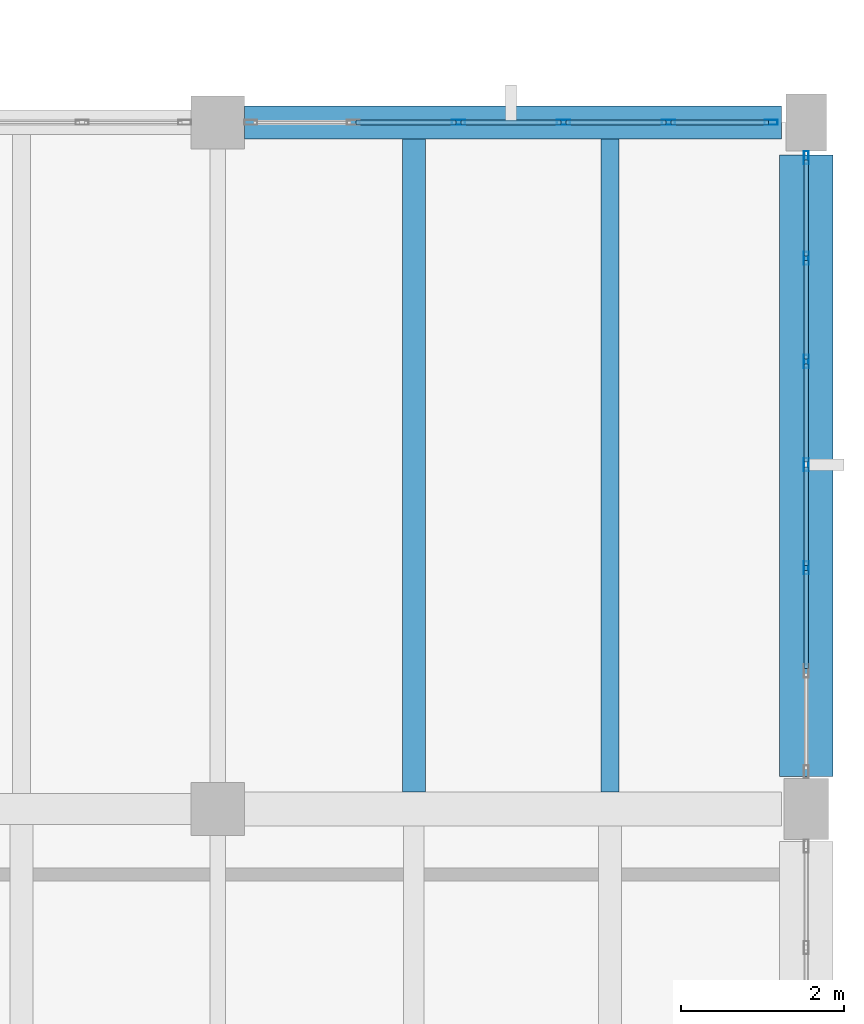
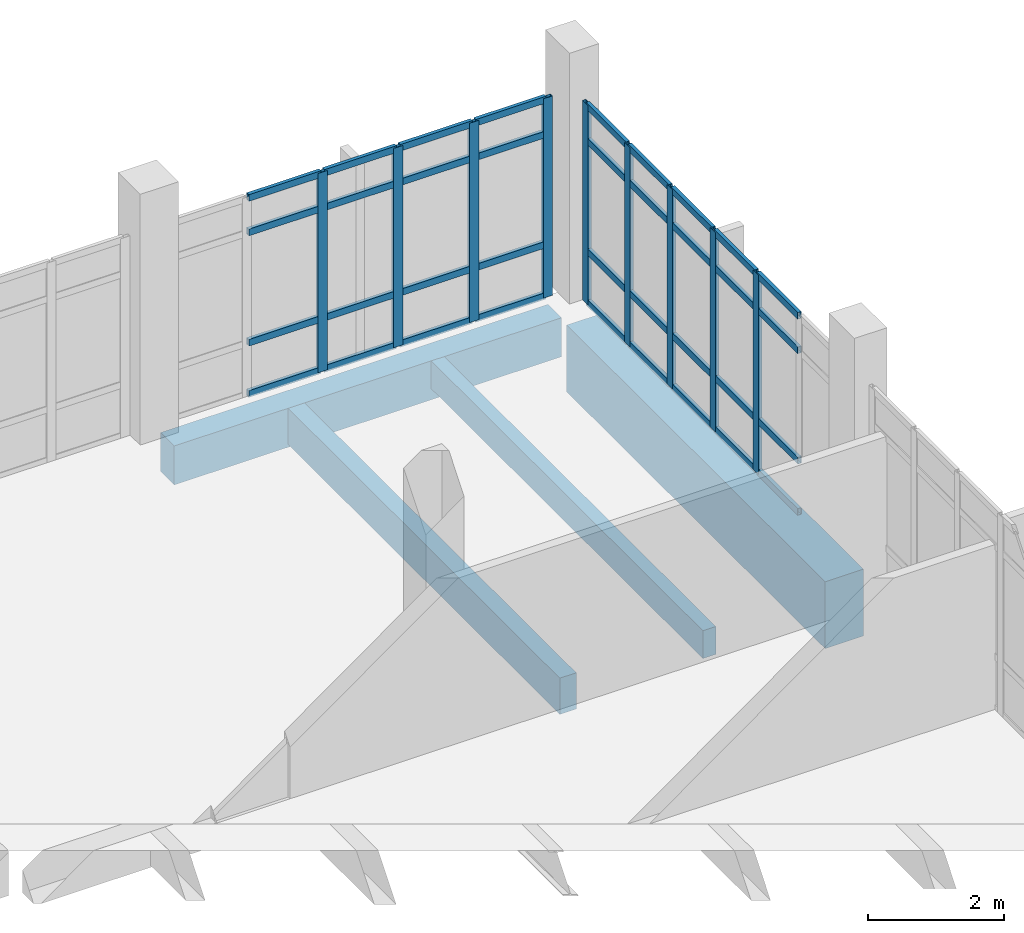
# One storey, part 78 of 116: 45 members, 4 beams, 2 elements without a shape of their own.
"""IFC4 building model written with IfcOpenShell, lengths in metres."""

from ifc_helpers import new_model, si_unit, direction, frame, origin, origin_2d, place, context, subcontext, project, spatial, rectangle, hollow_rectangle, extrude, material, material_profile, profile_set, type_object, element, aggregate, save


model = new_model("IFC4")

# Units and contexts
model_context = context("Model", 3, precision=1e-05, world=origin(), true_north=direction((0.0, 1.0)))
body_context = subcontext(model_context, "Body", "Model", "MODEL_VIEW")
ifc_project = project(units=[si_unit("LENGTHUNIT", "METRE"), si_unit("AREAUNIT", "SQUARE_METRE"), si_unit("VOLUMEUNIT", "CUBIC_METRE"), si_unit("PLANEANGLEUNIT", "RADIAN"), si_unit("MASSUNIT", "GRAM", prefix="KILO")], contexts=[model_context])

# Site, building, storey
site_placement = place(None, origin())
site = spatial("IfcSite", under=ifc_project, at=site_placement, CompositionType="ELEMENT")
building_placement = place(site_placement, origin())
building = spatial("IfcBuilding", under=site, at=building_placement, Name="Kalluvel Institute of Natural Sciences", CompositionType="ELEMENT")
storey_placement = place(building_placement, frame((0.0, 0.0, 14.39990234375)))
storey = spatial("IfcBuildingStorey", under=building, at=storey_placement, Name="L03", CompositionType="ELEMENT", Elevation=14.39990234375)

# Beam
ifc_material_1 = material(Name="Concrete M50", Category="concrete")
ifc_material_profile_1 = material_profile(ifc_material_1, rectangle(XDim=0.64990234375, YDim=1.199951171875, at=origin_2d()), Name="RCB 650x1200")
ifc_profile_set_1 = profile_set([ifc_material_profile_1], Name="Concrete M50")
beam_type_1 = type_object("IfcBeamType", Name="BM-RC650x1200", PredefinedType="BEAM", material=ifc_profile_set_1)
beam_1_placement = place(storey_placement, frame((114.800048828125, 120.0, -0.919921875), z_axis=(0.0, 1.0, 0.0), x_axis=(-1.0, 0.0, 0.0)))
element("IfcBeam", 1, at=beam_1_placement, inside=storey, type_object=beam_type_1, Name="L03 girder GIR-L03-NS-X1148-Y1196", PredefinedType="BEAM", context=body_context, shape_type="SweptSolid", body=[
    extrude(rectangle(XDim=0.64990234375, YDim=1.199951171875, at=origin_2d()), origin(), (0.0, 0.0, 1.0), 7.60009765625),
])

# Curtain wall, members
ifc_material_2 = material(Name="Aluminium AW-6063 T6", Category="aluminium")
curtain_wall_type = type_object("IfcCurtainWallType", Name="CW-WET-45", PredefinedType="USERDEFINED", material=ifc_material_2)
curtain_wall_1_placement = place(storey_placement, origin())
curtain_wall_1 = element("IfcCurtainWall", 2, at=curtain_wall_1_placement, inside=storey, type_object=curtain_wall_type, Name="L03 Gothic lancet curtain wall CWA-L03-X1080-Y1280", ObjectType="UNITISED LANCET FACADE", PredefinedType="USERDEFINED")
ifc_material_profile_2 = material_profile(ifc_material_2, hollow_rectangle(XDim=0.06005859375, YDim=0.159912109375, WallThickness=0.00390625, at=origin_2d()), Name="CWM 60x160")
ifc_profile_set_2 = profile_set([ifc_material_profile_2], Name="Aluminium AW-6063 T6")
member_type_1 = type_object("IfcMemberType", Name="CWM-60x160", PredefinedType="MULLION", material=ifc_profile_set_2)
member_1_placement = place(storey_placement, frame((110.544921875, 128.0, 0.0), z_axis=(0.0, 0.0, 1.0), x_axis=(0.0, 1.0, 0.0)))
member_1 = element("IfcMember", 3, at=member_1_placement, type_object=member_type_1, Name="CW-01 mullion 3", PredefinedType="MULLION", context=body_context, shape_type="SweptSolid", body=[
    extrude(hollow_rectangle(XDim=0.06005859375, YDim=0.159912109375, WallThickness=0.00390625, at=origin_2d()), origin(), (0.0, 0.0, 1.0), 3.580078125),
])
member_2_placement = place(storey_placement, frame((111.830078125, 128.0, 0.0), z_axis=(0.0, 0.0, 1.0), x_axis=(0.0, 1.0, 0.0)))
member_2 = element("IfcMember", 4, at=member_2_placement, type_object=member_type_1, Name="CW-01 mullion 4", PredefinedType="MULLION", context=body_context, shape_type="SweptSolid", body=[
    extrude(hollow_rectangle(XDim=0.06005859375, YDim=0.159912109375, WallThickness=0.00390625, at=origin_2d()), origin(), (0.0, 0.0, 1.0), 3.580078125),
])
member_3_placement = place(storey_placement, frame((113.114990234375, 128.0, 0.0), z_axis=(0.0, 0.0, 1.0), x_axis=(0.0, 1.0, 0.0)))
member_3 = element("IfcMember", 5, at=member_3_placement, type_object=member_type_1, Name="CW-01 mullion 5", PredefinedType="MULLION", context=body_context, shape_type="SweptSolid", body=[
    extrude(hollow_rectangle(XDim=0.06005859375, YDim=0.159912109375, WallThickness=0.00390625, at=origin_2d()), origin(), (0.0, 0.0, 1.0), 3.580078125),
])
member_4_placement = place(storey_placement, frame((114.3701171875, 128.0, 0.0), z_axis=(0.0, 0.0, 1.0), x_axis=(0.0, 1.0, 0.0)))
member_4 = element("IfcMember", 6, at=member_4_placement, type_object=member_type_1, Name="CW-01 mullion 6", PredefinedType="MULLION", context=body_context, shape_type="SweptSolid", body=[
    extrude(hollow_rectangle(XDim=0.06005859375, YDim=0.159912109375, WallThickness=0.00390625, at=origin_2d()), origin(), (0.0, 0.0, 1.0), 3.580078125),
])

curtain_wall_2_placement = place(storey_placement, origin())
curtain_wall_2 = element("IfcCurtainWall", 7, at=curtain_wall_2_placement, inside=storey, type_object=curtain_wall_type, Name="L03 Gothic lancet curtain wall CWA-L03-X1148-Y1200", ObjectType="UNITISED LANCET FACADE", PredefinedType="USERDEFINED")
member_5_placement = place(storey_placement, frame((114.800048828125, 122.550048828125, 0.0), z_axis=(0.0, 0.0, 1.0), x_axis=(-1.0, 0.0, 0.0)))
member_5 = element("IfcMember", 8, at=member_5_placement, type_object=member_type_1, Name="CW-01 mullion 3", PredefinedType="MULLION", context=body_context, shape_type="SweptSolid", body=[
    extrude(hollow_rectangle(XDim=0.06005859375, YDim=0.159912109375, WallThickness=0.00390625, at=origin_2d()), origin(), (0.0, 0.0, 1.0), 3.580078125),
])
member_6_placement = place(storey_placement, frame((114.800048828125, 123.8125, 0.0), z_axis=(0.0, 0.0, 1.0), x_axis=(-1.0, 0.0, 0.0)))
member_6 = element("IfcMember", 9, at=member_6_placement, type_object=member_type_1, Name="CW-01 mullion 4", PredefinedType="MULLION", context=body_context, shape_type="SweptSolid", body=[
    extrude(hollow_rectangle(XDim=0.06005859375, YDim=0.159912109375, WallThickness=0.00390625, at=origin_2d()), origin(), (0.0, 0.0, 1.0), 3.580078125),
])
member_7_placement = place(storey_placement, frame((114.800048828125, 125.074951171875, 0.0), z_axis=(0.0, 0.0, 1.0), x_axis=(-1.0, 0.0, 0.0)))
member_7 = element("IfcMember", 10, at=member_7_placement, type_object=member_type_1, Name="CW-01 mullion 5", PredefinedType="MULLION", context=body_context, shape_type="SweptSolid", body=[
    extrude(hollow_rectangle(XDim=0.06005859375, YDim=0.159912109375, WallThickness=0.00390625, at=origin_2d()), origin(), (0.0, 0.0, 1.0), 3.580078125),
])
member_8_placement = place(storey_placement, frame((114.800048828125, 126.33740234375, 0.0), z_axis=(0.0, 0.0, 1.0), x_axis=(-1.0, 0.0, 0.0)))
member_8 = element("IfcMember", 11, at=member_8_placement, type_object=member_type_1, Name="CW-01 mullion 6", PredefinedType="MULLION", context=body_context, shape_type="SweptSolid", body=[
    extrude(hollow_rectangle(XDim=0.06005859375, YDim=0.159912109375, WallThickness=0.00390625, at=origin_2d()), origin(), (0.0, 0.0, 1.0), 3.580078125),
])
member_9_placement = place(storey_placement, frame((114.800048828125, 127.570068359375, 0.0), z_axis=(0.0, 0.0, 1.0), x_axis=(-1.0, 0.0, 0.0)))
member_9 = element("IfcMember", 12, at=member_9_placement, type_object=member_type_1, Name="CW-01 mullion 7", PredefinedType="MULLION", context=body_context, shape_type="SweptSolid", body=[
    extrude(hollow_rectangle(XDim=0.06005859375, YDim=0.159912109375, WallThickness=0.00390625, at=origin_2d()), origin(), (0.0, 0.0, 1.0), 3.580078125),
])

# Member
ifc_material_profile_3 = material_profile(ifc_material_2, hollow_rectangle(XDim=0.06005859375, YDim=0.1201171875, WallThickness=0.00390625, at=origin_2d()), Name="CWT 60x120")
ifc_profile_set_3 = profile_set([ifc_material_profile_3], Name="Aluminium AW-6063 T6")
member_type_2 = type_object("IfcMemberType", Name="CWT-60x120", PredefinedType="USERDEFINED", material=ifc_profile_set_3)
member_10_placement = place(storey_placement, frame((109.2900390625, 128.0, 0.030029296875), z_axis=(1.0, 0.0, 0.0), x_axis=(0.0, 1.0, 0.0)))
member_10 = element("IfcMember", 13, at=member_10_placement, type_object=member_type_2, Name="CW-01 transom 2.1", ObjectType="TRANSOM", PredefinedType="USERDEFINED", context=body_context, shape_type="SweptSolid", body=[
    extrude(hollow_rectangle(XDim=0.06005859375, YDim=0.1201171875, WallThickness=0.00390625, at=origin_2d()), origin(), (0.0, 0.0, 1.0), 1.224853515625),
])

member_11_placement = place(storey_placement, frame((109.2900390625, 128.0, 0.9501953125), z_axis=(1.0, 0.0, 0.0), x_axis=(0.0, 1.0, 0.0)))
member_11 = element("IfcMember", 14, at=member_11_placement, type_object=member_type_2, Name="CW-01 transom 2.2", ObjectType="TRANSOM", PredefinedType="USERDEFINED", context=body_context, shape_type="SweptSolid", body=[
    extrude(hollow_rectangle(XDim=0.06005859375, YDim=0.1201171875, WallThickness=0.00390625, at=origin_2d()), origin(), (0.0, 0.0, 1.0), 1.224853515625),
])

member_12_placement = place(storey_placement, frame((109.2900390625, 128.0, 2.93017578125), z_axis=(1.0, 0.0, 0.0), x_axis=(0.0, 1.0, 0.0)))
member_12 = element("IfcMember", 15, at=member_12_placement, type_object=member_type_2, Name="CW-01 transom 2.3", ObjectType="TRANSOM", PredefinedType="USERDEFINED", context=body_context, shape_type="SweptSolid", body=[
    extrude(hollow_rectangle(XDim=0.06005859375, YDim=0.1201171875, WallThickness=0.00390625, at=origin_2d()), origin(), (0.0, 0.0, 1.0), 1.224853515625),
])

member_13_placement = place(storey_placement, frame((109.2900390625, 128.0, 3.550048828125), z_axis=(1.0, 0.0, 0.0), x_axis=(0.0, 1.0, 0.0)))
member_13 = element("IfcMember", 16, at=member_13_placement, type_object=member_type_2, Name="CW-01 transom 2.4", ObjectType="TRANSOM", PredefinedType="USERDEFINED", context=body_context, shape_type="SweptSolid", body=[
    extrude(hollow_rectangle(XDim=0.06005859375, YDim=0.1201171875, WallThickness=0.00390625, at=origin_2d()), origin(), (0.0, 0.0, 1.0), 1.224853515625),
])

member_14_placement = place(storey_placement, frame((110.574951171875, 128.0, 0.030029296875), z_axis=(1.0, 0.0, 0.0), x_axis=(0.0, 1.0, 0.0)))
member_14 = element("IfcMember", 17, at=member_14_placement, type_object=member_type_2, Name="CW-01 transom 3.1", ObjectType="TRANSOM", PredefinedType="USERDEFINED", context=body_context, shape_type="SweptSolid", body=[
    extrude(hollow_rectangle(XDim=0.06005859375, YDim=0.1201171875, WallThickness=0.00390625, at=origin_2d()), origin(), (0.0, 0.0, 1.0), 1.22509765625),
])

member_15_placement = place(storey_placement, frame((110.574951171875, 128.0, 0.9501953125), z_axis=(1.0, 0.0, 0.0), x_axis=(0.0, 1.0, 0.0)))
member_15 = element("IfcMember", 18, at=member_15_placement, type_object=member_type_2, Name="CW-01 transom 3.2", ObjectType="TRANSOM", PredefinedType="USERDEFINED", context=body_context, shape_type="SweptSolid", body=[
    extrude(hollow_rectangle(XDim=0.06005859375, YDim=0.1201171875, WallThickness=0.00390625, at=origin_2d()), origin(), (0.0, 0.0, 1.0), 1.22509765625),
])

member_16_placement = place(storey_placement, frame((110.574951171875, 128.0, 2.93017578125), z_axis=(1.0, 0.0, 0.0), x_axis=(0.0, 1.0, 0.0)))
member_16 = element("IfcMember", 19, at=member_16_placement, type_object=member_type_2, Name="CW-01 transom 3.3", ObjectType="TRANSOM", PredefinedType="USERDEFINED", context=body_context, shape_type="SweptSolid", body=[
    extrude(hollow_rectangle(XDim=0.06005859375, YDim=0.1201171875, WallThickness=0.00390625, at=origin_2d()), origin(), (0.0, 0.0, 1.0), 1.22509765625),
])

member_17_placement = place(storey_placement, frame((110.574951171875, 128.0, 3.550048828125), z_axis=(1.0, 0.0, 0.0), x_axis=(0.0, 1.0, 0.0)))
member_17 = element("IfcMember", 20, at=member_17_placement, type_object=member_type_2, Name="CW-01 transom 3.4", ObjectType="TRANSOM", PredefinedType="USERDEFINED", context=body_context, shape_type="SweptSolid", body=[
    extrude(hollow_rectangle(XDim=0.06005859375, YDim=0.1201171875, WallThickness=0.00390625, at=origin_2d()), origin(), (0.0, 0.0, 1.0), 1.22509765625),
])

member_18_placement = place(storey_placement, frame((111.860107421875, 128.0, 0.030029296875), z_axis=(1.0, 0.0, 0.0), x_axis=(0.0, 1.0, 0.0)))
member_18 = element("IfcMember", 21, at=member_18_placement, type_object=member_type_2, Name="CW-01 transom 4.1", ObjectType="TRANSOM", PredefinedType="USERDEFINED", context=body_context, shape_type="SweptSolid", body=[
    extrude(hollow_rectangle(XDim=0.06005859375, YDim=0.1201171875, WallThickness=0.00390625, at=origin_2d()), origin(), (0.0, 0.0, 1.0), 1.224853515625),
])

member_19_placement = place(storey_placement, frame((111.860107421875, 128.0, 0.9501953125), z_axis=(1.0, 0.0, 0.0), x_axis=(0.0, 1.0, 0.0)))
member_19 = element("IfcMember", 22, at=member_19_placement, type_object=member_type_2, Name="CW-01 transom 4.2", ObjectType="TRANSOM", PredefinedType="USERDEFINED", context=body_context, shape_type="SweptSolid", body=[
    extrude(hollow_rectangle(XDim=0.06005859375, YDim=0.1201171875, WallThickness=0.00390625, at=origin_2d()), origin(), (0.0, 0.0, 1.0), 1.224853515625),
])

member_20_placement = place(storey_placement, frame((111.860107421875, 128.0, 2.93017578125), z_axis=(1.0, 0.0, 0.0), x_axis=(0.0, 1.0, 0.0)))
member_20 = element("IfcMember", 23, at=member_20_placement, type_object=member_type_2, Name="CW-01 transom 4.3", ObjectType="TRANSOM", PredefinedType="USERDEFINED", context=body_context, shape_type="SweptSolid", body=[
    extrude(hollow_rectangle(XDim=0.06005859375, YDim=0.1201171875, WallThickness=0.00390625, at=origin_2d()), origin(), (0.0, 0.0, 1.0), 1.224853515625),
])

member_21_placement = place(storey_placement, frame((111.860107421875, 128.0, 3.550048828125), z_axis=(1.0, 0.0, 0.0), x_axis=(0.0, 1.0, 0.0)))
member_21 = element("IfcMember", 24, at=member_21_placement, type_object=member_type_2, Name="CW-01 transom 4.4", ObjectType="TRANSOM", PredefinedType="USERDEFINED", context=body_context, shape_type="SweptSolid", body=[
    extrude(hollow_rectangle(XDim=0.06005859375, YDim=0.1201171875, WallThickness=0.00390625, at=origin_2d()), origin(), (0.0, 0.0, 1.0), 1.224853515625),
])

member_22_placement = place(storey_placement, frame((113.14501953125, 128.0, 0.030029296875), z_axis=(1.0, 0.0, 0.0), x_axis=(0.0, 1.0, 0.0)))
member_22 = element("IfcMember", 25, at=member_22_placement, type_object=member_type_2, Name="CW-01 transom 5.1", ObjectType="TRANSOM", PredefinedType="USERDEFINED", context=body_context, shape_type="SweptSolid", body=[
    extrude(hollow_rectangle(XDim=0.06005859375, YDim=0.1201171875, WallThickness=0.00390625, at=origin_2d()), origin(), (0.0, 0.0, 1.0), 1.195068359375),
])

member_23_placement = place(storey_placement, frame((113.14501953125, 128.0, 0.9501953125), z_axis=(1.0, 0.0, 0.0), x_axis=(0.0, 1.0, 0.0)))
member_23 = element("IfcMember", 26, at=member_23_placement, type_object=member_type_2, Name="CW-01 transom 5.2", ObjectType="TRANSOM", PredefinedType="USERDEFINED", context=body_context, shape_type="SweptSolid", body=[
    extrude(hollow_rectangle(XDim=0.06005859375, YDim=0.1201171875, WallThickness=0.00390625, at=origin_2d()), origin(), (0.0, 0.0, 1.0), 1.195068359375),
])

member_24_placement = place(storey_placement, frame((113.14501953125, 128.0, 2.93017578125), z_axis=(1.0, 0.0, 0.0), x_axis=(0.0, 1.0, 0.0)))
member_24 = element("IfcMember", 27, at=member_24_placement, type_object=member_type_2, Name="CW-01 transom 5.3", ObjectType="TRANSOM", PredefinedType="USERDEFINED", context=body_context, shape_type="SweptSolid", body=[
    extrude(hollow_rectangle(XDim=0.06005859375, YDim=0.1201171875, WallThickness=0.00390625, at=origin_2d()), origin(), (0.0, 0.0, 1.0), 1.195068359375),
])

member_25_placement = place(storey_placement, frame((113.14501953125, 128.0, 3.550048828125), z_axis=(1.0, 0.0, 0.0), x_axis=(0.0, 1.0, 0.0)))
member_25 = element("IfcMember", 28, at=member_25_placement, type_object=member_type_2, Name="CW-01 transom 5.4", ObjectType="TRANSOM", PredefinedType="USERDEFINED", context=body_context, shape_type="SweptSolid", body=[
    extrude(hollow_rectangle(XDim=0.06005859375, YDim=0.1201171875, WallThickness=0.00390625, at=origin_2d()), origin(), (0.0, 0.0, 1.0), 1.195068359375),
])

aggregate(curtain_wall_1, [member_1, member_2, member_3, member_4, member_10, member_11, member_12, member_13, member_14, member_15, member_16, member_17, member_18, member_19, member_20, member_21, member_22, member_23, member_24, member_25])

member_26_placement = place(storey_placement, frame((114.800048828125, 121.3173828125, 0.030029296875), z_axis=(0.0, 1.0, 0.0), x_axis=(-1.0, 0.0, 0.0)))
member_26 = element("IfcMember", 29, at=member_26_placement, type_object=member_type_2, Name="CW-01 transom 2.1", ObjectType="TRANSOM", PredefinedType="USERDEFINED", context=body_context, shape_type="SweptSolid", body=[
    extrude(hollow_rectangle(XDim=0.06005859375, YDim=0.1201171875, WallThickness=0.00390625, at=origin_2d()), origin(), (0.0, 0.0, 1.0), 1.20263671875),
])

member_27_placement = place(storey_placement, frame((114.800048828125, 121.3173828125, 0.9501953125), z_axis=(0.0, 1.0, 0.0), x_axis=(-1.0, 0.0, 0.0)))
member_27 = element("IfcMember", 30, at=member_27_placement, type_object=member_type_2, Name="CW-01 transom 2.2", ObjectType="TRANSOM", PredefinedType="USERDEFINED", context=body_context, shape_type="SweptSolid", body=[
    extrude(hollow_rectangle(XDim=0.06005859375, YDim=0.1201171875, WallThickness=0.00390625, at=origin_2d()), origin(), (0.0, 0.0, 1.0), 1.20263671875),
])

member_28_placement = place(storey_placement, frame((114.800048828125, 121.3173828125, 2.93017578125), z_axis=(0.0, 1.0, 0.0), x_axis=(-1.0, 0.0, 0.0)))
member_28 = element("IfcMember", 31, at=member_28_placement, type_object=member_type_2, Name="CW-01 transom 2.3", ObjectType="TRANSOM", PredefinedType="USERDEFINED", context=body_context, shape_type="SweptSolid", body=[
    extrude(hollow_rectangle(XDim=0.06005859375, YDim=0.1201171875, WallThickness=0.00390625, at=origin_2d()), origin(), (0.0, 0.0, 1.0), 1.20263671875),
])

member_29_placement = place(storey_placement, frame((114.800048828125, 121.3173828125, 3.550048828125), z_axis=(0.0, 1.0, 0.0), x_axis=(-1.0, 0.0, 0.0)))
member_29 = element("IfcMember", 32, at=member_29_placement, type_object=member_type_2, Name="CW-01 transom 2.4", ObjectType="TRANSOM", PredefinedType="USERDEFINED", context=body_context, shape_type="SweptSolid", body=[
    extrude(hollow_rectangle(XDim=0.06005859375, YDim=0.1201171875, WallThickness=0.00390625, at=origin_2d()), origin(), (0.0, 0.0, 1.0), 1.20263671875),
])

member_30_placement = place(storey_placement, frame((114.800048828125, 122.580078125, 0.030029296875), z_axis=(0.0, 1.0, 0.0), x_axis=(-1.0, 0.0, 0.0)))
member_30 = element("IfcMember", 33, at=member_30_placement, type_object=member_type_2, Name="CW-01 transom 3.1", ObjectType="TRANSOM", PredefinedType="USERDEFINED", context=body_context, shape_type="SweptSolid", body=[
    extrude(hollow_rectangle(XDim=0.06005859375, YDim=0.1201171875, WallThickness=0.00390625, at=origin_2d()), origin(), (0.0, 0.0, 1.0), 1.202392578125),
])

member_31_placement = place(storey_placement, frame((114.800048828125, 122.580078125, 0.9501953125), z_axis=(0.0, 1.0, 0.0), x_axis=(-1.0, 0.0, 0.0)))
member_31 = element("IfcMember", 34, at=member_31_placement, type_object=member_type_2, Name="CW-01 transom 3.2", ObjectType="TRANSOM", PredefinedType="USERDEFINED", context=body_context, shape_type="SweptSolid", body=[
    extrude(hollow_rectangle(XDim=0.06005859375, YDim=0.1201171875, WallThickness=0.00390625, at=origin_2d()), origin(), (0.0, 0.0, 1.0), 1.202392578125),
])

member_32_placement = place(storey_placement, frame((114.800048828125, 122.580078125, 2.93017578125), z_axis=(0.0, 1.0, 0.0), x_axis=(-1.0, 0.0, 0.0)))
member_32 = element("IfcMember", 35, at=member_32_placement, type_object=member_type_2, Name="CW-01 transom 3.3", ObjectType="TRANSOM", PredefinedType="USERDEFINED", context=body_context, shape_type="SweptSolid", body=[
    extrude(hollow_rectangle(XDim=0.06005859375, YDim=0.1201171875, WallThickness=0.00390625, at=origin_2d()), origin(), (0.0, 0.0, 1.0), 1.202392578125),
])

member_33_placement = place(storey_placement, frame((114.800048828125, 122.580078125, 3.550048828125), z_axis=(0.0, 1.0, 0.0), x_axis=(-1.0, 0.0, 0.0)))
member_33 = element("IfcMember", 36, at=member_33_placement, type_object=member_type_2, Name="CW-01 transom 3.4", ObjectType="TRANSOM", PredefinedType="USERDEFINED", context=body_context, shape_type="SweptSolid", body=[
    extrude(hollow_rectangle(XDim=0.06005859375, YDim=0.1201171875, WallThickness=0.00390625, at=origin_2d()), origin(), (0.0, 0.0, 1.0), 1.202392578125),
])

member_34_placement = place(storey_placement, frame((114.800048828125, 123.842529296875, 0.030029296875), z_axis=(0.0, 1.0, 0.0), x_axis=(-1.0, 0.0, 0.0)))
member_34 = element("IfcMember", 37, at=member_34_placement, type_object=member_type_2, Name="CW-01 transom 4.1", ObjectType="TRANSOM", PredefinedType="USERDEFINED", context=body_context, shape_type="SweptSolid", body=[
    extrude(hollow_rectangle(XDim=0.06005859375, YDim=0.1201171875, WallThickness=0.00390625, at=origin_2d()), origin(), (0.0, 0.0, 1.0), 1.202392578125),
])

member_35_placement = place(storey_placement, frame((114.800048828125, 123.842529296875, 0.9501953125), z_axis=(0.0, 1.0, 0.0), x_axis=(-1.0, 0.0, 0.0)))
member_35 = element("IfcMember", 38, at=member_35_placement, type_object=member_type_2, Name="CW-01 transom 4.2", ObjectType="TRANSOM", PredefinedType="USERDEFINED", context=body_context, shape_type="SweptSolid", body=[
    extrude(hollow_rectangle(XDim=0.06005859375, YDim=0.1201171875, WallThickness=0.00390625, at=origin_2d()), origin(), (0.0, 0.0, 1.0), 1.202392578125),
])

member_36_placement = place(storey_placement, frame((114.800048828125, 123.842529296875, 2.93017578125), z_axis=(0.0, 1.0, 0.0), x_axis=(-1.0, 0.0, 0.0)))
member_36 = element("IfcMember", 39, at=member_36_placement, type_object=member_type_2, Name="CW-01 transom 4.3", ObjectType="TRANSOM", PredefinedType="USERDEFINED", context=body_context, shape_type="SweptSolid", body=[
    extrude(hollow_rectangle(XDim=0.06005859375, YDim=0.1201171875, WallThickness=0.00390625, at=origin_2d()), origin(), (0.0, 0.0, 1.0), 1.202392578125),
])

member_37_placement = place(storey_placement, frame((114.800048828125, 123.842529296875, 3.550048828125), z_axis=(0.0, 1.0, 0.0), x_axis=(-1.0, 0.0, 0.0)))
member_37 = element("IfcMember", 40, at=member_37_placement, type_object=member_type_2, Name="CW-01 transom 4.4", ObjectType="TRANSOM", PredefinedType="USERDEFINED", context=body_context, shape_type="SweptSolid", body=[
    extrude(hollow_rectangle(XDim=0.06005859375, YDim=0.1201171875, WallThickness=0.00390625, at=origin_2d()), origin(), (0.0, 0.0, 1.0), 1.202392578125),
])

member_38_placement = place(storey_placement, frame((114.800048828125, 125.10498046875, 0.030029296875), z_axis=(0.0, 1.0, 0.0), x_axis=(-1.0, 0.0, 0.0)))
member_38 = element("IfcMember", 41, at=member_38_placement, type_object=member_type_2, Name="CW-01 transom 5.1", ObjectType="TRANSOM", PredefinedType="USERDEFINED", context=body_context, shape_type="SweptSolid", body=[
    extrude(hollow_rectangle(XDim=0.06005859375, YDim=0.1201171875, WallThickness=0.00390625, at=origin_2d()), origin(), (0.0, 0.0, 1.0), 1.20263671875),
])

member_39_placement = place(storey_placement, frame((114.800048828125, 125.10498046875, 0.9501953125), z_axis=(0.0, 1.0, 0.0), x_axis=(-1.0, 0.0, 0.0)))
member_39 = element("IfcMember", 42, at=member_39_placement, type_object=member_type_2, Name="CW-01 transom 5.2", ObjectType="TRANSOM", PredefinedType="USERDEFINED", context=body_context, shape_type="SweptSolid", body=[
    extrude(hollow_rectangle(XDim=0.06005859375, YDim=0.1201171875, WallThickness=0.00390625, at=origin_2d()), origin(), (0.0, 0.0, 1.0), 1.20263671875),
])

member_40_placement = place(storey_placement, frame((114.800048828125, 125.10498046875, 2.93017578125), z_axis=(0.0, 1.0, 0.0), x_axis=(-1.0, 0.0, 0.0)))
member_40 = element("IfcMember", 43, at=member_40_placement, type_object=member_type_2, Name="CW-01 transom 5.3", ObjectType="TRANSOM", PredefinedType="USERDEFINED", context=body_context, shape_type="SweptSolid", body=[
    extrude(hollow_rectangle(XDim=0.06005859375, YDim=0.1201171875, WallThickness=0.00390625, at=origin_2d()), origin(), (0.0, 0.0, 1.0), 1.20263671875),
])

member_41_placement = place(storey_placement, frame((114.800048828125, 125.10498046875, 3.550048828125), z_axis=(0.0, 1.0, 0.0), x_axis=(-1.0, 0.0, 0.0)))
member_41 = element("IfcMember", 44, at=member_41_placement, type_object=member_type_2, Name="CW-01 transom 5.4", ObjectType="TRANSOM", PredefinedType="USERDEFINED", context=body_context, shape_type="SweptSolid", body=[
    extrude(hollow_rectangle(XDim=0.06005859375, YDim=0.1201171875, WallThickness=0.00390625, at=origin_2d()), origin(), (0.0, 0.0, 1.0), 1.20263671875),
])

member_42_placement = place(storey_placement, frame((114.800048828125, 126.367431640625, 0.030029296875), z_axis=(0.0, 1.0, 0.0), x_axis=(-1.0, 0.0, 0.0)))
member_42 = element("IfcMember", 45, at=member_42_placement, type_object=member_type_2, Name="CW-01 transom 6.1", ObjectType="TRANSOM", PredefinedType="USERDEFINED", context=body_context, shape_type="SweptSolid", body=[
    extrude(hollow_rectangle(XDim=0.06005859375, YDim=0.1201171875, WallThickness=0.00390625, at=origin_2d()), origin(), (0.0, 0.0, 1.0), 1.172607421875),
])

member_43_placement = place(storey_placement, frame((114.800048828125, 126.367431640625, 0.9501953125), z_axis=(0.0, 1.0, 0.0), x_axis=(-1.0, 0.0, 0.0)))
member_43 = element("IfcMember", 46, at=member_43_placement, type_object=member_type_2, Name="CW-01 transom 6.2", ObjectType="TRANSOM", PredefinedType="USERDEFINED", context=body_context, shape_type="SweptSolid", body=[
    extrude(hollow_rectangle(XDim=0.06005859375, YDim=0.1201171875, WallThickness=0.00390625, at=origin_2d()), origin(), (0.0, 0.0, 1.0), 1.172607421875),
])

member_44_placement = place(storey_placement, frame((114.800048828125, 126.367431640625, 2.93017578125), z_axis=(0.0, 1.0, 0.0), x_axis=(-1.0, 0.0, 0.0)))
member_44 = element("IfcMember", 47, at=member_44_placement, type_object=member_type_2, Name="CW-01 transom 6.3", ObjectType="TRANSOM", PredefinedType="USERDEFINED", context=body_context, shape_type="SweptSolid", body=[
    extrude(hollow_rectangle(XDim=0.06005859375, YDim=0.1201171875, WallThickness=0.00390625, at=origin_2d()), origin(), (0.0, 0.0, 1.0), 1.172607421875),
])

member_45_placement = place(storey_placement, frame((114.800048828125, 126.367431640625, 3.550048828125), z_axis=(0.0, 1.0, 0.0), x_axis=(-1.0, 0.0, 0.0)))
member_45 = element("IfcMember", 48, at=member_45_placement, type_object=member_type_2, Name="CW-01 transom 6.4", ObjectType="TRANSOM", PredefinedType="USERDEFINED", context=body_context, shape_type="SweptSolid", body=[
    extrude(hollow_rectangle(XDim=0.06005859375, YDim=0.1201171875, WallThickness=0.00390625, at=origin_2d()), origin(), (0.0, 0.0, 1.0), 1.172607421875),
])

aggregate(curtain_wall_2, [member_5, member_6, member_7, member_8, member_9, member_26, member_27, member_28, member_29, member_30, member_31, member_32, member_33, member_34, member_35, member_36, member_37, member_38, member_39, member_40, member_41, member_42, member_43, member_44, member_45])

# Beams
ifc_material_3 = material(Name="Concrete M40", Category="concrete")
ifc_material_profile_4 = material_profile(ifc_material_3, rectangle(XDim=0.39990234375, YDim=0.699951171875, at=origin_2d()), Name="RCB 400x700")
ifc_profile_set_4 = profile_set([ifc_material_profile_4], Name="Concrete M40")
beam_type_2 = type_object("IfcBeamType", Name="SP-RC400x700", PredefinedType="SPANDREL", material=ifc_profile_set_4)
beam_2_placement = place(storey_placement, frame((107.925048828125, 128.0, -0.669921875), z_axis=(1.0, 0.0, 0.0), x_axis=(0.0, 1.0, 0.0)))
element("IfcBeam", 49, at=beam_2_placement, inside=storey, type_object=beam_type_2, Name="L03 girder GIR-L03-EW-X1076-Y1280", PredefinedType="SPANDREL", context=body_context, shape_type="SweptSolid", body=[
    extrude(rectangle(XDim=0.39990234375, YDim=0.699951171875, at=origin_2d()), origin(), (0.0, 0.0, 1.0), 6.574951171875),
])
ifc_material_profile_5 = material_profile(ifc_material_3, rectangle(XDim=0.219970703125, YDim=0.5, at=origin_2d()), Name="WAF 220x500")
ifc_profile_set_5 = profile_set([ifc_material_profile_5], Name="Concrete M40")
beam_type_3 = type_object("IfcBeamType", Name="WJ-220x500", PredefinedType="JOIST", material=ifc_profile_set_5)
beam_3_placement = place(storey_placement, frame((112.39990234375, 119.81005859375, -0.56982421875), z_axis=(0.0, 1.0, 0.0), x_axis=(-1.0, 0.0, 0.0)))
element("IfcBeam", 50, at=beam_3_placement, inside=storey, type_object=beam_type_3, Name="L03 waffle joist RIB-L03-0292", PredefinedType="JOIST", context=body_context, shape_type="SweptSolid", body=[
    extrude(rectangle(XDim=0.219970703125, YDim=0.5, at=origin_2d()), origin(), (0.0, 0.0, 1.0), 7.989990234375),
])
ifc_material_profile_6 = material_profile(ifc_material_1, rectangle(XDim=0.280029296875, YDim=0.64990234375, at=origin_2d()), Name="WAF 280x650")
ifc_profile_set_6 = profile_set([ifc_material_profile_6], Name="Concrete M50")
beam_type_4 = type_object("IfcBeamType", Name="WJ-280x650", PredefinedType="JOIST", material=ifc_profile_set_6)
beam_4_placement = place(storey_placement, frame((110.0, 119.81005859375, -0.64501953125), z_axis=(0.0, 1.0, 0.0), x_axis=(-1.0, 0.0, 0.0)))
element("IfcBeam", 51, at=beam_4_placement, inside=storey, type_object=beam_type_4, Name="L03 waffle joist RIB-L03-0291", PredefinedType="JOIST", context=body_context, shape_type="SweptSolid", body=[
    extrude(rectangle(XDim=0.280029296875, YDim=0.64990234375, at=origin_2d()), origin(), (0.0, 0.0, 1.0), 7.989990234375),
])

save(model, "model.ifc")
